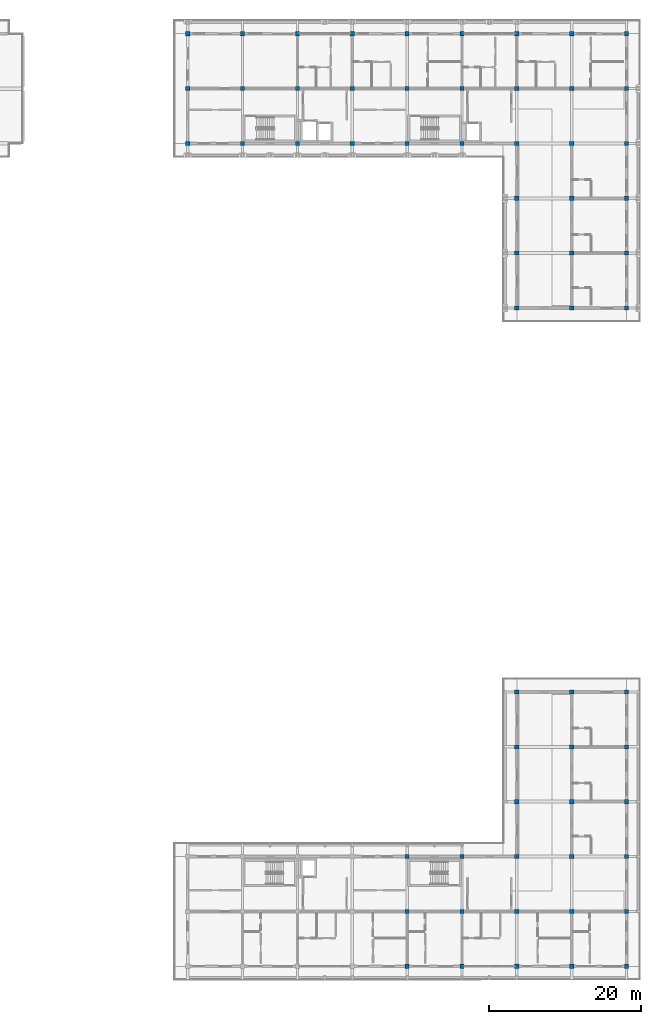
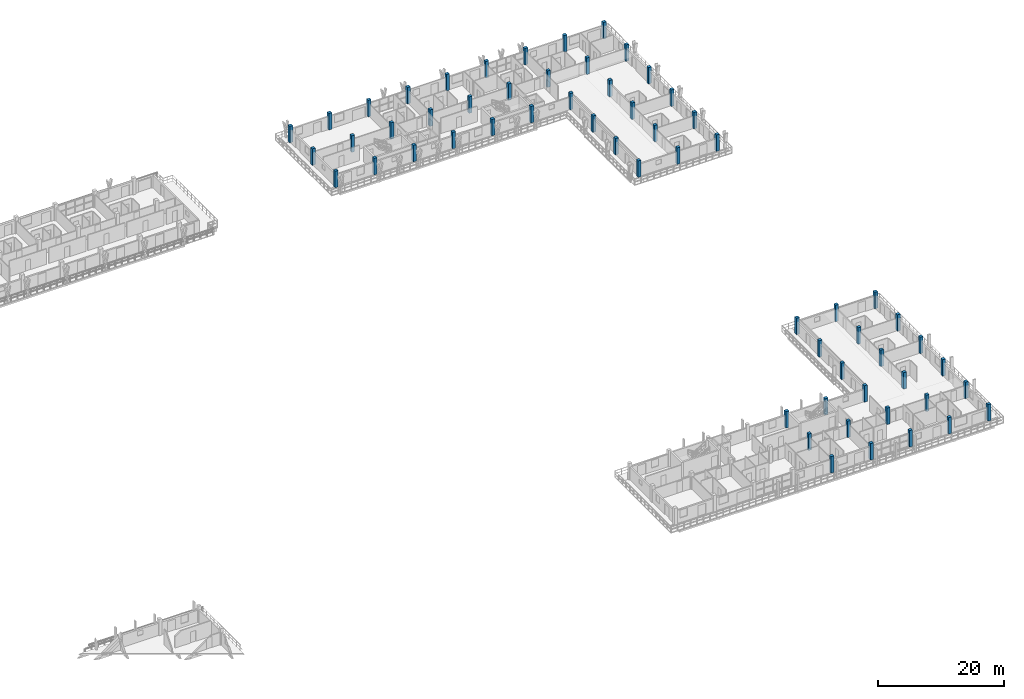
# One storey, part 2 of 67: 60 columns.
"""IFC4 building model written with IfcOpenShell, lengths in metres."""

from ifc_helpers import new_model, si_unit, direction, frame, origin, origin_2d, place, context, subcontext, project, spatial, rectangle, extrude, material, material_profile, profile_set, type_object, element, save


model = new_model("IFC4")

# Units and contexts
model_context = context("Model", 3, precision=1e-05, world=origin(), true_north=direction((0.0, 1.0)))
body_context = subcontext(model_context, "Body", "Model", "MODEL_VIEW")
ifc_project = project(units=[si_unit("LENGTHUNIT", "METRE"), si_unit("AREAUNIT", "SQUARE_METRE"), si_unit("VOLUMEUNIT", "CUBIC_METRE"), si_unit("PLANEANGLEUNIT", "RADIAN"), si_unit("MASSUNIT", "GRAM", prefix="KILO")], contexts=[model_context])

# Site, building, storey
site_placement = place(None, origin())
site = spatial("IfcSite", under=ifc_project, at=site_placement, CompositionType="ELEMENT")
building_placement = place(site_placement, origin())
building = spatial("IfcBuilding", under=site, at=building_placement, Name="Suanplinth Sawtooth Commons", CompositionType="ELEMENT")
storey_placement = place(building_placement, frame((0.0, 0.0, 25.10009765625)))
storey = spatial("IfcBuildingStorey", under=building, at=storey_placement, Name="L07", CompositionType="ELEMENT", Elevation=25.10009765625)

# Columns
ifc_material = material(Name="Precast concrete C40/50", Category="concrete")
ifc_material_profile = material_profile(ifc_material, rectangle(XDim=0.550048828125, YDim=0.550048828125, at=origin_2d()), Name="PC-COL 550x550")
ifc_profile_set = profile_set([ifc_material_profile], Name="Precast concrete C40/50")
column_type = type_object("IfcColumnType", Name="C-05", PredefinedType="COLUMN", material=ifc_profile_set)
for number, where, z_axis, x_axis, name in (
    (1, (129.60009765625, 108.0, 0.0), (0.0, 0.0, 1.0), (1.0, 0.0, 0.0), "Column L07 19/R"),
    (2, (129.60009765625, 115.199951171875, 0.0), (0.0, 0.0, 1.0), (1.0, 0.0, 0.0), "Column L07 19/S"),
    (3, (129.60009765625, 122.39990234375, 0.0), (0.0, 0.0, 1.0), (1.0, 0.0, 0.0), "Column L07 19/T"),
    (4, (136.800048828125, 108.0, 0.0), (0.0, 0.0, 1.0), (1.0, 0.0, 0.0), "Column L07 20/R"),
    (5, (136.800048828125, 115.199951171875, 0.0), (0.0, 0.0, 1.0), (1.0, 0.0, 0.0), "Column L07 20/S"),
    (6, (136.800048828125, 122.39990234375, 0.0), (0.0, 0.0, 1.0), (1.0, 0.0, 0.0), "Column L07 20/T"),
    (7, (144.0, 108.0, 0.0), (0.0, 0.0, 1.0), (1.0, 0.0, 0.0), "Column L07 21/R"),
    (8, (144.0, 115.199951171875, 0.0), (0.0, 0.0, 1.0), (1.0, 0.0, 0.0), "Column L07 21/S"),
    (9, (144.0, 122.39990234375, 0.0), (0.0, 0.0, 1.0), (1.0, 0.0, 0.0), "Column L07 21/T"),
    (10, (151.199951171875, 108.0, 0.0), (0.0, 0.0, 1.0), (1.0, 0.0, 0.0), "Column L07 22/R"),
    (11, (151.199951171875, 115.199951171875, 0.0), (0.0, 0.0, 1.0), (1.0, 0.0, 0.0), "Column L07 22/S"),
    (12, (151.199951171875, 122.39990234375, 0.0), (0.0, 0.0, 1.0), (1.0, 0.0, 0.0), "Column L07 22/T"),
    (13, (158.39990234375, 0.0, 0.0), (0.0, 0.0, 1.0), (1.0, 0.0, 0.0), "Column L07 23/A"),
    (14, (158.39990234375, 7.199951171875, 0.0), (0.0, 0.0, 1.0), (1.0, 0.0, 0.0), "Column L07 23/B"),
    (15, (158.39990234375, 14.39990234375, 0.0), (0.0, 0.0, 1.0), (1.0, 0.0, 0.0), "Column L07 23/C"),
    (16, (158.39990234375, 108.0, 0.0), (0.0, 0.0, 1.0), (1.0, 0.0, 0.0), "Column L07 23/R"),
    (17, (158.39990234375, 115.199951171875, 0.0), (0.0, 0.0, 1.0), (1.0, 0.0, 0.0), "Column L07 23/S"),
    (18, (158.39990234375, 122.39990234375, 0.0), (0.0, 0.0, 1.0), (1.0, 0.0, 0.0), "Column L07 23/T"),
    (19, (165.60009765625, 0.0, 0.0), (0.0, 0.0, 1.0), (1.0, 0.0, 0.0), "Column L07 24/A"),
    (20, (165.60009765625, 7.199951171875, 0.0), (0.0, 0.0, 1.0), (1.0, 0.0, 0.0), "Column L07 24/B"),
    (21, (165.60009765625, 14.39990234375, 0.0), (0.0, 0.0, 1.0), (1.0, 0.0, 0.0), "Column L07 24/C"),
    (22, (165.60009765625, 108.0, 0.0), (0.0, 0.0, 1.0), (1.0, 0.0, 0.0), "Column L07 24/R"),
    (23, (165.60009765625, 115.199951171875, 0.0), (0.0, 0.0, 1.0), (1.0, 0.0, 0.0), "Column L07 24/S"),
    (24, (165.60009765625, 122.39990234375, 0.0), (0.0, 0.0, 1.0), (1.0, 0.0, 0.0), "Column L07 24/T"),
    (25, (172.800048828125, 0.0, 0.0), (0.0, 0.0, 1.0), (1.0, 0.0, 0.0), "Column L07 25/A"),
    (26, (172.800048828125, 7.199951171875, 0.0), (0.0, 0.0, 1.0), (1.0, 0.0, 0.0), "Column L07 25/B"),
    (27, (172.800048828125, 14.39990234375, 0.0), (0.0, 0.0, 1.0), (1.0, 0.0, 0.0), "Column L07 25/C"),
    (28, (172.800048828125, 21.60009765625, 0.0), (0.0, 0.0, 1.0), (1.0, 0.0, 0.0), "Column L07 25/D"),
    (29, (172.800048828125, 28.800048828125, 0.0), (0.0, 0.0, 1.0), (1.0, 0.0, 0.0), "Column L07 25/E"),
    (30, (172.800048828125, 36.0, 0.0), (0.0, 0.0, 1.0), (1.0, 0.0, 0.0), "Column L07 25/F"),
    (31, (172.800048828125, 86.39990234375, 0.0), (0.0, 0.0, 1.0), (1.0, 0.0, 0.0), "Column L07 25/N"),
    (32, (172.800048828125, 93.60009765625, 0.0), (0.0, 0.0, 1.0), (1.0, 0.0, 0.0), "Column L07 25/P"),
    (33, (172.800048828125, 100.800048828125, 0.0), (0.0, 0.0, 1.0), (1.0, 0.0, 0.0), "Column L07 25/Q"),
    (34, (172.800048828125, 108.0, 0.0), (0.0, 0.0, 1.0), (1.0, 0.0, 0.0), "Column L07 25/R"),
    (35, (172.800048828125, 115.199951171875, 0.0), (0.0, 0.0, 1.0), (1.0, 0.0, 0.0), "Column L07 25/S"),
    (36, (172.800048828125, 122.39990234375, 0.0), (0.0, 0.0, 1.0), (1.0, 0.0, 0.0), "Column L07 25/T"),
    (37, (180.0, 0.0, 0.0), (0.0, 0.0, 1.0), (1.0, 0.0, 0.0), "Column L07 26/A"),
    (38, (180.0, 7.199951171875, 0.0), (0.0, 0.0, 1.0), (1.0, 0.0, 0.0), "Column L07 26/B"),
    (39, (180.0, 14.39990234375, 0.0), (0.0, 0.0, 1.0), (1.0, 0.0, 0.0), "Column L07 26/C"),
    (40, (180.0, 21.60009765625, 0.0), (0.0, 0.0, 1.0), (1.0, 0.0, 0.0), "Column L07 26/D"),
    (41, (180.0, 28.800048828125, 0.0), (0.0, 0.0, 1.0), (1.0, 0.0, 0.0), "Column L07 26/E"),
    (42, (180.0, 36.0, 0.0), (0.0, 0.0, 1.0), (1.0, 0.0, 0.0), "Column L07 26/F"),
    (43, (180.0, 86.39990234375, 0.0), (0.0, 0.0, 1.0), (1.0, 0.0, 0.0), "Column L07 26/N"),
    (44, (180.0, 93.60009765625, 0.0), (0.0, 0.0, 1.0), (1.0, 0.0, 0.0), "Column L07 26/P"),
    (45, (180.0, 100.800048828125, 0.0), (0.0, 0.0, 1.0), (1.0, 0.0, 0.0), "Column L07 26/Q"),
    (46, (180.0, 108.0, 0.0), (0.0, 0.0, 1.0), (1.0, 0.0, 0.0), "Column L07 26/R"),
    (47, (180.0, 115.199951171875, 0.0), (0.0, 0.0, 1.0), (1.0, 0.0, 0.0), "Column L07 26/S"),
    (48, (180.0, 122.39990234375, 0.0), (0.0, 0.0, 1.0), (1.0, 0.0, 0.0), "Column L07 26/T"),
    (49, (187.199951171875, 0.0, 0.0), (0.0, 0.0, 1.0), (1.0, 0.0, 0.0), "Column L07 27/A"),
    (50, (187.199951171875, 7.199951171875, 0.0), (0.0, 0.0, 1.0), (1.0, 0.0, 0.0), "Column L07 27/B"),
    (51, (187.199951171875, 14.39990234375, 0.0), (0.0, 0.0, 1.0), (1.0, 0.0, 0.0), "Column L07 27/C"),
    (52, (187.199951171875, 21.60009765625, 0.0), (0.0, 0.0, 1.0), (1.0, 0.0, 0.0), "Column L07 27/D"),
    (53, (187.199951171875, 28.800048828125, 0.0), (0.0, 0.0, 1.0), (1.0, 0.0, 0.0), "Column L07 27/E"),
    (54, (187.199951171875, 36.0, 0.0), (0.0, 0.0, 1.0), (1.0, 0.0, 0.0), "Column L07 27/F"),
    (55, (187.199951171875, 86.39990234375, 0.0), (0.0, 0.0, 1.0), (1.0, 0.0, 0.0), "Column L07 27/N"),
    (56, (187.199951171875, 93.60009765625, 0.0), (0.0, 0.0, 1.0), (1.0, 0.0, 0.0), "Column L07 27/P"),
    (57, (187.199951171875, 100.800048828125, 0.0), (0.0, 0.0, 1.0), (1.0, 0.0, 0.0), "Column L07 27/Q"),
    (58, (187.199951171875, 108.0, 0.0), (0.0, 0.0, 1.0), (1.0, 0.0, 0.0), "Column L07 27/R"),
    (59, (187.199951171875, 115.199951171875, 0.0), (0.0, 0.0, 1.0), (1.0, 0.0, 0.0), "Column L07 27/S"),
    (60, (187.199951171875, 122.39990234375, 0.0), (0.0, 0.0, 1.0), (1.0, 0.0, 0.0), "Column L07 27/T"),
):
    element("IfcColumn", number, at=place(storey_placement, frame(where, z_axis=z_axis, x_axis=x_axis)), inside=storey, type_object=column_type, Name=name, PredefinedType="COLUMN", context=body_context, shape_type="SweptSolid", body=[
        extrude(rectangle(XDim=0.550048828125, YDim=0.550048828125, at=origin_2d()), origin(), (0.0, 0.0, 1.0), 3.199951171875),
    ])

save(model, "model.ifc")
